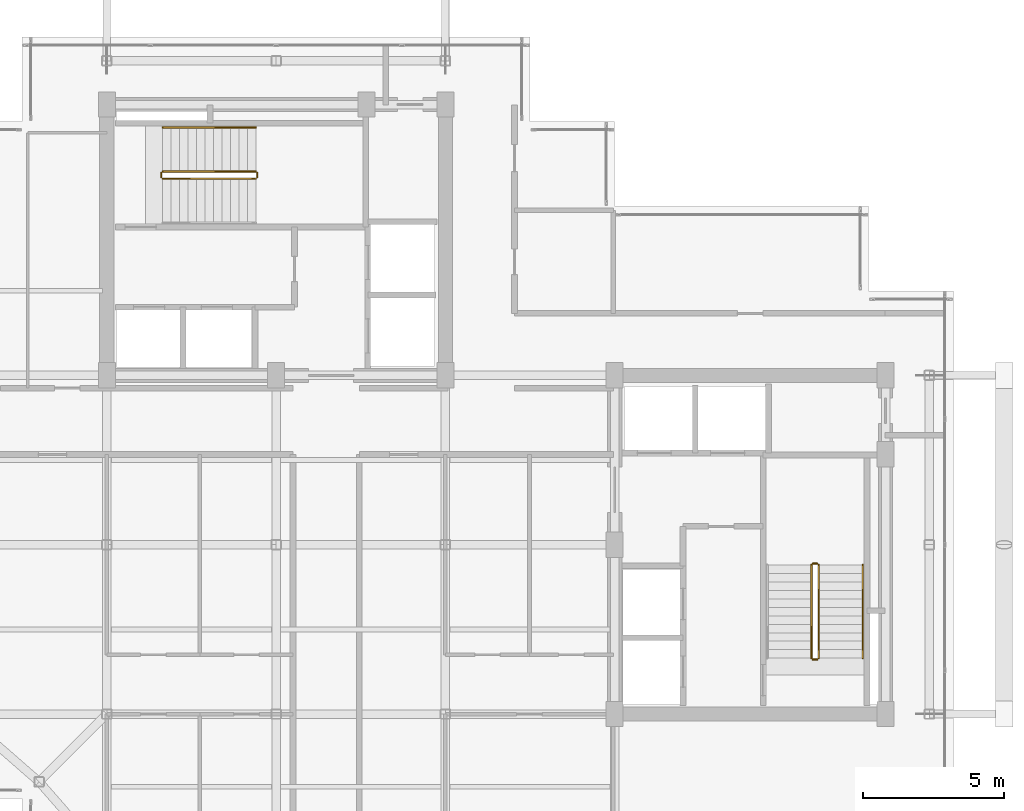
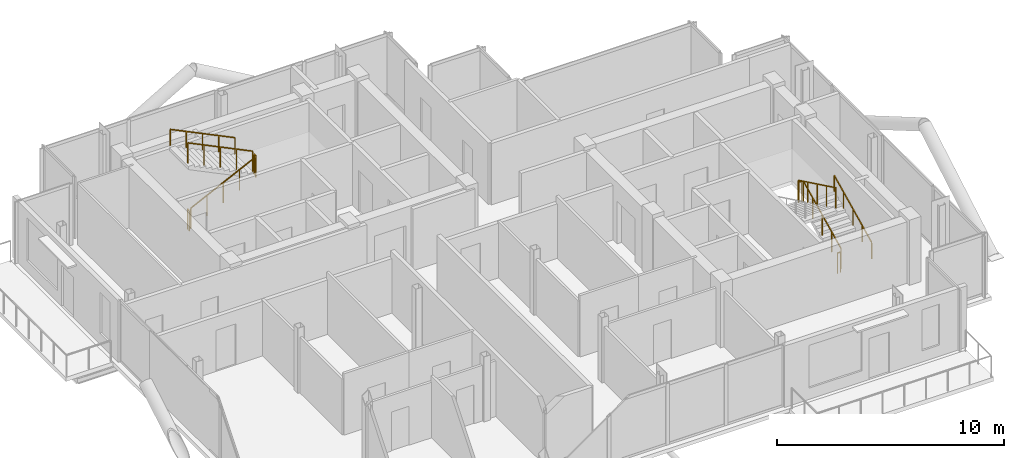
# One storey, part 19 of 19: 10 railings.
"""IFC4 building model written with IfcOpenShell, lengths in metres."""

import ifcopenshell
import ifcopenshell.guid

model = None  # the IFC model being written
_history = None  # IfcOwnerHistory: only IFC2X3 demands one
_inside = {}  # id of a spatial element -> (the spatial element, [elements in it])
_under = {}  # id of a project, library or spatial element -> (it, [spatial elements below it])
_declared = {}  # id of a project -> (the project, [libraries it declares])
_typed = {}  # id of a type object -> (the type object, [elements of that type])
_made_of = {}  # id of a material, layer set ... -> (it, [elements and type objects made of it])


def new_model(schema):
    """Start an empty IFC model of exactly this schema.

    Asked for "IFC4X3", IfcOpenShell would pick the latest addendum, in which some entities
    have other attributes; the version numbers below select the first issue.
    IFC2X3 requires an IfcOwnerHistory on every rooted entity: one is made here for all.
    """
    global model, _history
    if schema == "IFC4X3":
        model = ifcopenshell.file(schema_version=(4, 3, 0, 0))
    else:
        model = ifcopenshell.file(schema=schema)
    _inside.clear()
    _under.clear()
    _declared.clear()
    _typed.clear()
    _made_of.clear()
    _history = None
    if model.schema == "IFC2X3":
        org = make("IfcOrganization", Name="unknown")
        user = make(
            "IfcPersonAndOrganization",
            ThePerson=make("IfcPerson", FamilyName="unknown"),
            TheOrganization=org,
        )
        app = make(
            "IfcApplication",
            ApplicationDeveloper=org,
            Version="unknown",
            ApplicationFullName="unknown",
            ApplicationIdentifier="unknown",
        )
        _history = make(
            "IfcOwnerHistory",
            OwningUser=user,
            OwningApplication=app,
            ChangeAction="ADDED",
            CreationDate=0,
        )
    return model


def make(cls, **values):
    """One entity of the class cls with the attributes given. An attribute that is None is left unset."""
    return model.create_entity(
        cls, **{name: value for name, value in values.items() if value is not None}
    )


def rooted(cls, **values):
    """An entity with a GlobalId (a new one), such as an element, a storey or a relation."""
    return make(cls, GlobalId=ifcopenshell.guid.new(), OwnerHistory=_history, **values)


def si_unit(unit_type, name, prefix=None):
    """IfcSIUnit, for example si_unit("LENGTHUNIT", "METRE", prefix="MILLI")."""
    return make("IfcSIUnit", UnitType=unit_type, Prefix=prefix, Name=name)


def assignment(units):
    """IfcUnitAssignment: the units of a project."""
    return None if units is None else make("IfcUnitAssignment", Units=units)


def point(xyz):
    """IfcCartesianPoint."""
    return None if xyz is None else make("IfcCartesianPoint", Coordinates=xyz)


def direction(xyz):
    """IfcDirection."""
    return None if xyz is None else make("IfcDirection", DirectionRatios=xyz)


def frame(location, z_axis=None, x_axis=None):
    """IfcAxis2Placement3D, a coordinate frame: its origin and axes. An axis left out is left unset."""
    return make(
        "IfcAxis2Placement3D",
        Location=point(location),
        Axis=direction(z_axis),
        RefDirection=direction(x_axis),
    )


def frame_2d(location, x_axis=None):
    """IfcAxis2Placement2D, a coordinate frame in the plane: its origin and x axis."""
    return make(
        "IfcAxis2Placement2D", Location=point(location), RefDirection=direction(x_axis)
    )


def origin():
    """The frame at (0, 0, 0) with its axes left unset."""
    return frame((0.0, 0.0, 0.0))


def origin_2d():
    """The frame at (0, 0) in the plane with its x axis left unset."""
    return frame_2d((0.0, 0.0))


def place(relative_to, where):
    """IfcLocalPlacement: puts the frame where relative to a parent placement (None: the world)."""
    return make(
        "IfcLocalPlacement", PlacementRelTo=relative_to, RelativePlacement=where
    )


def context(
    kind, dimensions, precision=None, world=None, true_north=None, identifier=None
):
    """IfcGeometricRepresentationContext, for example the 3D "Model" context."""
    return make(
        "IfcGeometricRepresentationContext",
        ContextIdentifier=identifier,
        ContextType=kind,
        CoordinateSpaceDimension=dimensions,
        Precision=precision,
        WorldCoordinateSystem=world,
        TrueNorth=true_north,
    )


def subcontext(parent, identifier, kind, view, scale=None):
    """IfcGeometricRepresentationSubContext, for example "Body" below "Model"."""
    return make(
        "IfcGeometricRepresentationSubContext",
        ContextIdentifier=identifier,
        ContextType=kind,
        ParentContext=parent,
        TargetScale=scale,
        TargetView=view,
    )


def project(units=None, contexts=None):
    """IfcProject with its units and contexts."""
    return rooted(
        "IfcProject",
        Name="project",
        RepresentationContexts=contexts,
        UnitsInContext=assignment(units),
    )


def spatial(cls, under=None, at=None, **own):
    """A site, building, storey or space (cls), placed at a placement, below another one or the project."""
    s = rooted(cls, ObjectPlacement=at, **own)
    if under is not None:
        _under.setdefault(under.id(), (under, []))[1].append(s)
    return s


def profile(cls, at=None, kind="AREA", **sizes):
    """A parametric profile (cls). Its sizes go by their IFC names, for example OverallWidth=200.0."""
    return make(cls, ProfileType=kind, Position=at, **sizes)


def rectangle(**sizes):
    """IfcRectangleProfileDef."""
    return profile("IfcRectangleProfileDef", **sizes)


def extrude(swept, where, along, depth):
    """IfcExtrudedAreaSolid: the profile swept, set in the frame where, extruded along a direction by depth."""
    return make(
        "IfcExtrudedAreaSolid",
        SweptArea=swept,
        Position=where,
        ExtrudedDirection=direction(along),
        Depth=depth,
    )


def shape(context_of_items, identifier, shape_type, items):
    """IfcShapeRepresentation: the items that make up one representation, for example the "Body"."""
    return make(
        "IfcShapeRepresentation",
        ContextOfItems=context_of_items,
        RepresentationIdentifier=identifier,
        RepresentationType=shape_type,
        Items=items,
    )


def material(Name=None, Category=None):
    """IfcMaterial."""
    return make("IfcMaterial", Name=Name, Category=Category)


def made_of(thing, what):
    """Note that an element or type object is made of a material, layer set ...; save() writes the relation."""
    if what is not None:
        _made_of.setdefault(what.id(), (what, []))[1].append(thing)
    return thing


def type_object(cls, material=None, **own):
    """A type object (cls), such as IfcWallType, which elements share."""
    return made_of(rooted(cls, **own), material)


def element(
    cls,
    number,
    at=None,
    inside=None,
    cuts=None,
    type_object=None,
    material=None,
    context=None,
    identifier="Body",
    shape_type=None,
    held_by="IfcProductDefinitionShape",
    body=None,
    shapes=None,
    **own,
):
    """One element of the class cls, such as IfcWall. Its Tag is "e" and its number.

    at: its placement. inside: the storey or other place that contains it. cuts: it is an
    opening in that element (IfcRelVoidsElement). A single representation is given by context,
    identifier, shape_type and body (its items); several are given by shapes. held_by: the class
    of the entity that holds the representations. save() writes the other relations.
    """
    e = rooted(cls, Tag="e%d" % number, ObjectPlacement=at, **own)
    if body is not None:
        shapes = [shape(context, identifier, shape_type, body)]
    if shapes is not None:
        e.Representation = make(held_by, Representations=shapes)
    if inside is not None:
        _inside.setdefault(inside.id(), (inside, []))[1].append(e)
    if cuts is not None:
        rooted(
            "IfcRelVoidsElement", RelatingBuildingElement=cuts, RelatedOpeningElement=e
        )
    if type_object is not None:
        _typed.setdefault(type_object.id(), (type_object, []))[1].append(e)
    return made_of(e, material)


def aggregate(whole, parts):
    """IfcRelAggregates: a whole, such as a stair, and the parts it consists of."""
    return rooted("IfcRelAggregates", RelatingObject=whole, RelatedObjects=parts)


def save(model, path):
    """Write the relations noted so far, then the file.

    IfcRelAggregates (storeys below a building ...), IfcRelContainedInSpatialStructure (elements
    in a storey), IfcRelDefinesByType, IfcRelAssociatesMaterial and IfcRelDeclares: one each for
    every whole, place, type object, material and project.
    """
    for whole, parts in _under.values():
        aggregate(whole, parts)
    for where, things in _inside.values():
        rooted(
            "IfcRelContainedInSpatialStructure",
            RelatedElements=things,
            RelatingStructure=where,
        )
    for kind, things in _typed.values():
        rooted("IfcRelDefinesByType", RelatedObjects=things, RelatingType=kind)
    for what, things in _made_of.values():
        rooted("IfcRelAssociatesMaterial", RelatedObjects=things, RelatingMaterial=what)
    for by, libraries in _declared.values():
        rooted("IfcRelDeclares", RelatingContext=by, RelatedDefinitions=libraries)
    model.write(path)


model = new_model("IFC4")

# Units and contexts
model_context = context("Model", 3, precision=1e-05, world=origin(), true_north=direction((0.0, 1.0)))
body_context = subcontext(model_context, "Body", "Model", "MODEL_VIEW")
ifc_project = project(units=[si_unit("LENGTHUNIT", "METRE"), si_unit("AREAUNIT", "SQUARE_METRE"), si_unit("VOLUMEUNIT", "CUBIC_METRE"), si_unit("PLANEANGLEUNIT", "RADIAN"), si_unit("MASSUNIT", "GRAM", prefix="KILO"), si_unit("THERMODYNAMICTEMPERATUREUNIT", "KELVIN"), si_unit("POWERUNIT", "WATT")], contexts=[model_context])

# Site, building, storey
site_placement = place(None, origin())
site = spatial("IfcSite", under=ifc_project, at=site_placement, CompositionType="ELEMENT")
building_placement = place(site_placement, origin())
building = spatial("IfcBuilding", under=site, at=building_placement, Name="Svarakhadi Broadcast Tower", CompositionType="ELEMENT")
storey_placement = place(building_placement, frame((0.0, 0.0, 257.199951171875)))
storey = spatial("IfcBuildingStorey", under=building, at=storey_placement, Name="L64", CompositionType="ELEMENT", Elevation=257.199951171875)

# Railings
ifc_material = material(Name="Anodised Bronze Aluminium AA 6063-T6", Category="aluminium")
railing_type_1 = type_object("IfcRailingType", Name="Guard_Stair_GR01", PredefinedType="GUARDRAIL", material=ifc_material)
railing_1_placement = place(storey_placement, frame((7.97998046875, 24.969970703125, 0.14599609375)))
element("IfcRailing", 1, at=railing_1_placement, inside=storey, type_object=railing_type_1, Name="L64 ST-01 stair guard 1", PredefinedType="GUARDRAIL", context=body_context, shape_type="SweptSolid", body=[
    extrude(rectangle(XDim=0.048095703125, YDim=0.048095703125, at=origin_2d()), frame((0.0, 0.0, 1.09619140625), z_axis=(0.899387838337, 0.0, 0.437151594131), x_axis=(0.0, 1.0, 0.0)), (0.0, 0.0, 1.0), 3.669189453125),
    extrude(rectangle(XDim=0.0419921875, YDim=0.0419921875, at=origin_2d()), origin(), (0.0, 0.0, 1.0), 1.072021484375),
    extrude(rectangle(XDim=0.0419921875, YDim=0.0419921875, at=origin_2d()), frame((0.824951171875, 0.0, 0.40087890625)), (0.0, 0.0, 1.0), 1.072021484375),
    extrude(rectangle(XDim=0.0419921875, YDim=0.0419921875, at=origin_2d()), frame((1.64990234375, 0.0, 0.802001953125)), (0.0, 0.0, 1.0), 1.072021484375),
    extrude(rectangle(XDim=0.0419921875, YDim=0.0419921875, at=origin_2d()), frame((2.47509765625, 0.0, 1.203125)), (0.0, 0.0, 1.0), 1.072021484375),
    extrude(rectangle(XDim=0.0419921875, YDim=0.0419921875, at=origin_2d()), frame((3.300048828125, 0.0, 1.60400390625)), (0.0, 0.0, 1.0), 1.072021484375),
])
railing_2_placement = place(storey_placement, frame((11.330078125, 25.02001953125, 1.75)))
element("IfcRailing", 2, at=railing_2_placement, inside=storey, type_object=railing_type_1, Name="L64 ST-01 stair guard 2", PredefinedType="GUARDRAIL", context=body_context, shape_type="SweptSolid", body=[
    extrude(rectangle(XDim=0.048095703125, YDim=0.048095703125, at=origin_2d()), frame((0.0, 0.0, 1.09619140625), z_axis=(0.0, 1.0, 0.0), x_axis=(-1.0, 0.0, 0.0)), (0.0, 0.0, 1.0), 0.159912109375),
    extrude(rectangle(XDim=0.0419921875, YDim=0.0419921875, at=origin_2d()), origin(), (0.0, 0.0, 1.0), 1.072021484375),
    extrude(rectangle(XDim=0.0419921875, YDim=0.0419921875, at=origin_2d()), frame((0.0, 0.159912109375, 0.0)), (0.0, 0.0, 1.0), 1.072021484375),
])
railing_3_placement = place(storey_placement, frame((11.280029296875, 25.22998046875, 1.89599609375)))
element("IfcRailing", 3, at=railing_3_placement, inside=storey, type_object=railing_type_1, Name="L64 ST-01 stair guard 3", PredefinedType="GUARDRAIL", context=body_context, shape_type="SweptSolid", body=[
    extrude(rectangle(XDim=0.048095703125, YDim=0.048095703125, at=origin_2d()), frame((0.0, 0.0, 1.09619140625), z_axis=(-0.899387838337, 0.0, 0.437151594131), x_axis=(0.0, -1.0, 0.0)), (0.0, 0.0, 1.0), 3.669189453125),
    extrude(rectangle(XDim=0.0419921875, YDim=0.0419921875, at=origin_2d()), origin(), (0.0, 0.0, 1.0), 1.072021484375),
    extrude(rectangle(XDim=0.0419921875, YDim=0.0419921875, at=origin_2d()), frame((-0.824951171875, 0.0, 0.40087890625)), (0.0, 0.0, 1.0), 1.072021484375),
    extrude(rectangle(XDim=0.0419921875, YDim=0.0419921875, at=origin_2d()), frame((-1.64990234375, 0.0, 0.802001953125)), (0.0, 0.0, 1.0), 1.072021484375),
    extrude(rectangle(XDim=0.0419921875, YDim=0.0419921875, at=origin_2d()), frame((-2.47509765625, 0.0, 1.203125)), (0.0, 0.0, 1.0), 1.072021484375),
    extrude(rectangle(XDim=0.0419921875, YDim=0.0419921875, at=origin_2d()), frame((-3.300048828125, 0.0, 1.60400390625)), (0.0, 0.0, 1.0), 1.072021484375),
])
railing_4_placement = place(storey_placement, frame((7.929931640625, 25.02001953125, 0.0)))
element("IfcRailing", 4, at=railing_4_placement, inside=storey, type_object=railing_type_1, Name="L64 ST-01 stair guard 4", PredefinedType="GUARDRAIL", context=body_context, shape_type="SweptSolid", body=[
    extrude(rectangle(XDim=0.048095703125, YDim=0.048095703125, at=origin_2d()), frame((0.0, 0.0, 1.09619140625), z_axis=(0.0, 1.0, 0.0), x_axis=(-1.0, 0.0, 0.0)), (0.0, 0.0, 1.0), 0.159912109375),
    extrude(rectangle(XDim=0.0419921875, YDim=0.0419921875, at=origin_2d()), origin(), (0.0, 0.0, 1.0), 1.072021484375),
    extrude(rectangle(XDim=0.0419921875, YDim=0.0419921875, at=origin_2d()), frame((0.0, 0.159912109375, 0.0)), (0.0, 0.0, 1.0), 1.072021484375),
])
railing_5_placement = place(storey_placement, frame((31.22998046875, 7.97998046875, 0.14599609375)))
element("IfcRailing", 5, at=railing_5_placement, inside=storey, type_object=railing_type_1, Name="L64 ST-02 stair guard 1", PredefinedType="GUARDRAIL", context=body_context, shape_type="SweptSolid", body=[
    extrude(rectangle(XDim=0.048095703125, YDim=0.048095703125, at=origin_2d()), frame((0.0, 0.0, 1.09619140625), z_axis=(0.0, 0.899387838337, 0.437151594131), x_axis=(-1.0, 0.0, 0.0)), (0.0, 0.0, 1.0), 3.669189453125),
    extrude(rectangle(XDim=0.0419921875, YDim=0.0419921875, at=origin_2d()), origin(), (0.0, 0.0, 1.0), 1.072021484375),
    extrude(rectangle(XDim=0.0419921875, YDim=0.0419921875, at=origin_2d()), frame((0.0, 0.824951171875, 0.40087890625)), (0.0, 0.0, 1.0), 1.072021484375),
    extrude(rectangle(XDim=0.0419921875, YDim=0.0419921875, at=origin_2d()), frame((0.0, 1.64990234375, 0.802001953125)), (0.0, 0.0, 1.0), 1.072021484375),
    extrude(rectangle(XDim=0.0419921875, YDim=0.0419921875, at=origin_2d()), frame((0.0, 2.47509765625, 1.203125)), (0.0, 0.0, 1.0), 1.072021484375),
    extrude(rectangle(XDim=0.0419921875, YDim=0.0419921875, at=origin_2d()), frame((0.0, 3.300048828125, 1.60400390625)), (0.0, 0.0, 1.0), 1.072021484375),
])
railing_6_placement = place(storey_placement, frame((31.179931640625, 11.330078125, 1.75)))
element("IfcRailing", 6, at=railing_6_placement, inside=storey, type_object=railing_type_1, Name="L64 ST-02 stair guard 2", PredefinedType="GUARDRAIL", context=body_context, shape_type="SweptSolid", body=[
    extrude(rectangle(XDim=0.048095703125, YDim=0.048095703125, at=origin_2d()), frame((0.0, 0.0, 1.09619140625), z_axis=(-1.0, 0.0, 0.0), x_axis=(0.0, -1.0, 0.0)), (0.0, 0.0, 1.0), 0.159912109375),
    extrude(rectangle(XDim=0.0419921875, YDim=0.0419921875, at=origin_2d()), origin(), (0.0, 0.0, 1.0), 1.072021484375),
    extrude(rectangle(XDim=0.0419921875, YDim=0.0419921875, at=origin_2d()), frame((-0.159912109375, 0.0, 0.0)), (0.0, 0.0, 1.0), 1.072021484375),
])
railing_7_placement = place(storey_placement, frame((30.969970703125, 11.280029296875, 1.89599609375)))
element("IfcRailing", 7, at=railing_7_placement, inside=storey, type_object=railing_type_1, Name="L64 ST-02 stair guard 3", PredefinedType="GUARDRAIL", context=body_context, shape_type="SweptSolid", body=[
    extrude(rectangle(XDim=0.048095703125, YDim=0.048095703125, at=origin_2d()), frame((0.0, 0.0, 1.09619140625), z_axis=(0.0, -0.899387838337, 0.437151594131), x_axis=(1.0, 0.0, 0.0)), (0.0, 0.0, 1.0), 3.669189453125),
    extrude(rectangle(XDim=0.0419921875, YDim=0.0419921875, at=origin_2d()), origin(), (0.0, 0.0, 1.0), 1.072021484375),
    extrude(rectangle(XDim=0.0419921875, YDim=0.0419921875, at=origin_2d()), frame((0.0, -0.824951171875, 0.40087890625)), (0.0, 0.0, 1.0), 1.072021484375),
    extrude(rectangle(XDim=0.0419921875, YDim=0.0419921875, at=origin_2d()), frame((0.0, -1.64990234375, 0.802001953125)), (0.0, 0.0, 1.0), 1.072021484375),
    extrude(rectangle(XDim=0.0419921875, YDim=0.0419921875, at=origin_2d()), frame((0.0, -2.47509765625, 1.203125)), (0.0, 0.0, 1.0), 1.072021484375),
    extrude(rectangle(XDim=0.0419921875, YDim=0.0419921875, at=origin_2d()), frame((0.0, -3.300048828125, 1.60400390625)), (0.0, 0.0, 1.0), 1.072021484375),
])
railing_8_placement = place(storey_placement, frame((31.179931640625, 7.929931640625, 0.0)))
element("IfcRailing", 8, at=railing_8_placement, inside=storey, type_object=railing_type_1, Name="L64 ST-02 stair guard 4", PredefinedType="GUARDRAIL", context=body_context, shape_type="SweptSolid", body=[
    extrude(rectangle(XDim=0.048095703125, YDim=0.048095703125, at=origin_2d()), frame((0.0, 0.0, 1.09619140625), z_axis=(-1.0, 0.0, 0.0), x_axis=(0.0, -1.0, 0.0)), (0.0, 0.0, 1.0), 0.159912109375),
    extrude(rectangle(XDim=0.0419921875, YDim=0.0419921875, at=origin_2d()), origin(), (0.0, 0.0, 1.0), 1.072021484375),
    extrude(rectangle(XDim=0.0419921875, YDim=0.0419921875, at=origin_2d()), frame((-0.159912109375, 0.0, 0.0)), (0.0, 0.0, 1.0), 1.072021484375),
])
railing_type_2 = type_object("IfcRailingType", Name="Handrail_Stair_HR01", PredefinedType="HANDRAIL", material=ifc_material)
railing_9_placement = place(storey_placement, frame((11.280029296875, 26.7900390625, 1.89599609375)))
element("IfcRailing", 9, at=railing_9_placement, inside=storey, type_object=railing_type_2, Name="L64 ST-01 stair handrail 2", PredefinedType="HANDRAIL", context=body_context, shape_type="SweptSolid", body=[
    extrude(rectangle(XDim=0.048095703125, YDim=0.048095703125, at=origin_2d()), frame((0.0, 0.0, 0.8759765625), z_axis=(-0.899387838337, 0.0, 0.437151594131), x_axis=(0.0, -1.0, 0.0)), (0.0, 0.0, 1.0), 3.669189453125),
    extrude(rectangle(XDim=0.0419921875, YDim=0.0419921875, at=origin_2d()), origin(), (0.0, 0.0, 1.0), 0.851806640625),
    extrude(rectangle(XDim=0.0419921875, YDim=0.0419921875, at=origin_2d()), frame((-0.824951171875, 0.0, 0.40087890625)), (0.0, 0.0, 1.0), 0.851806640625),
    extrude(rectangle(XDim=0.0419921875, YDim=0.0419921875, at=origin_2d()), frame((-1.64990234375, 0.0, 0.802001953125)), (0.0, 0.0, 1.0), 0.851806640625),
    extrude(rectangle(XDim=0.0419921875, YDim=0.0419921875, at=origin_2d()), frame((-2.47509765625, 0.0, 1.203125)), (0.0, 0.0, 1.0), 0.851806640625),
    extrude(rectangle(XDim=0.0419921875, YDim=0.0419921875, at=origin_2d()), frame((-3.300048828125, 0.0, 1.60400390625)), (0.0, 0.0, 1.0), 0.851806640625),
])
railing_10_placement = place(storey_placement, frame((32.7900390625, 7.97998046875, 0.14599609375)))
element("IfcRailing", 10, at=railing_10_placement, inside=storey, type_object=railing_type_2, Name="L64 ST-02 stair handrail 1", PredefinedType="HANDRAIL", context=body_context, shape_type="SweptSolid", body=[
    extrude(rectangle(XDim=0.048095703125, YDim=0.048095703125, at=origin_2d()), frame((0.0, 0.0, 0.8759765625), z_axis=(0.0, 0.899387838337, 0.437151594131), x_axis=(-1.0, 0.0, 0.0)), (0.0, 0.0, 1.0), 3.669189453125),
    extrude(rectangle(XDim=0.0419921875, YDim=0.0419921875, at=origin_2d()), origin(), (0.0, 0.0, 1.0), 0.851806640625),
    extrude(rectangle(XDim=0.0419921875, YDim=0.0419921875, at=origin_2d()), frame((0.0, 0.824951171875, 0.40087890625)), (0.0, 0.0, 1.0), 0.851806640625),
    extrude(rectangle(XDim=0.0419921875, YDim=0.0419921875, at=origin_2d()), frame((0.0, 1.64990234375, 0.802001953125)), (0.0, 0.0, 1.0), 0.851806640625),
    extrude(rectangle(XDim=0.0419921875, YDim=0.0419921875, at=origin_2d()), frame((0.0, 2.47509765625, 1.203125)), (0.0, 0.0, 1.0), 0.851806640625),
    extrude(rectangle(XDim=0.0419921875, YDim=0.0419921875, at=origin_2d()), frame((0.0, 3.300048828125, 1.60400390625)), (0.0, 0.0, 1.0), 0.851806640625),
])

save(model, "model.ifc")
